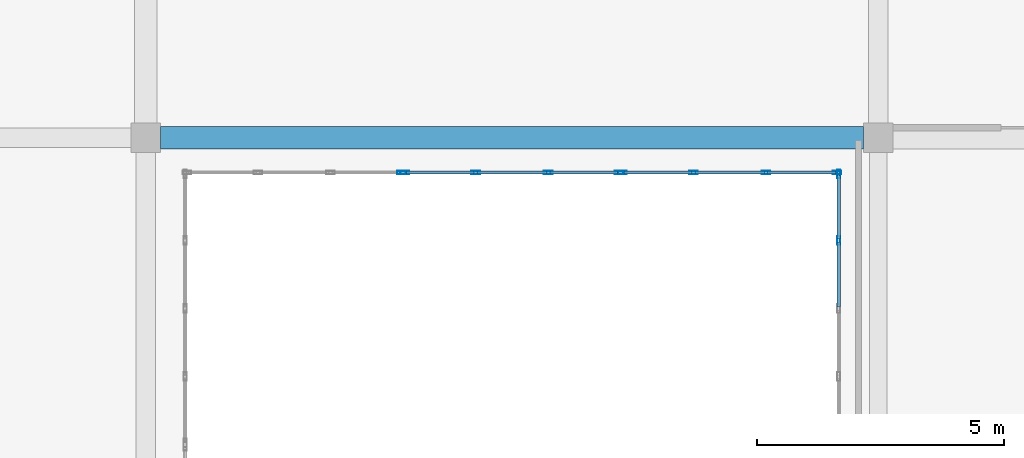
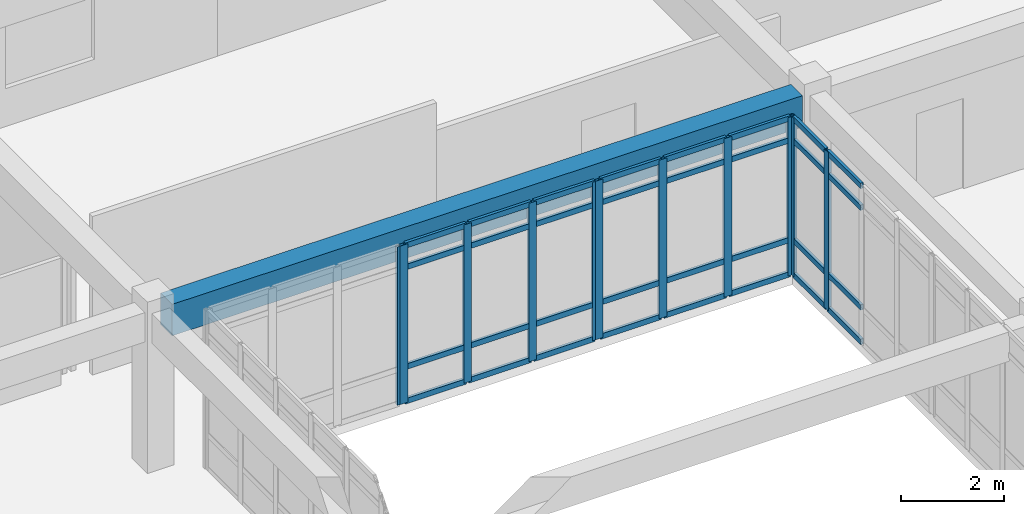
# One storey, part 59 of 91: 43 members, 1 beam, 4 elements without a shape of their own.
"""IFC4 building model written with IfcOpenShell, lengths in metres."""

from ifc_helpers import new_model, si_unit, direction, frame, origin, origin_2d, place, context, subcontext, project, spatial, rectangle, hollow_rectangle, extrude, material, layer, layer_set, material_profile, profile_set, type_object, element, aggregate, save


model = new_model("IFC4")

# Units and contexts
model_context = context("Model", 3, precision=1e-05, world=origin(), true_north=direction((0.0, 1.0)))
body_context = subcontext(model_context, "Body", "Model", "MODEL_VIEW")
ifc_project = project(units=[si_unit("LENGTHUNIT", "METRE"), si_unit("AREAUNIT", "SQUARE_METRE"), si_unit("VOLUMEUNIT", "CUBIC_METRE"), si_unit("PLANEANGLEUNIT", "RADIAN"), si_unit("MASSUNIT", "GRAM", prefix="KILO")], contexts=[model_context])

# Site, building, storey
site_placement = place(None, origin())
site = spatial("IfcSite", under=ifc_project, at=site_placement, CompositionType="ELEMENT")
building_placement = place(site_placement, origin())
building = spatial("IfcBuilding", under=site, at=building_placement, Name="Valcora Specialist Clinic", CompositionType="ELEMENT")
storey_placement = place(building_placement, frame((0.0, 0.0, 13.60009765625)))
storey = spatial("IfcBuildingStorey", under=building, at=storey_placement, Name="L03", CompositionType="ELEMENT", Elevation=13.60009765625)

# Beam
ifc_material_1 = material(Name="Concrete C40/50", Category="concrete")
ifc_material_profile_1 = material_profile(ifc_material_1, rectangle(XDim=0.449951171875, YDim=0.75, at=origin_2d()), Name="RC-BM-450X750")
ifc_profile_set_1 = profile_set([ifc_material_profile_1], Name="Concrete C40/50")
beam_type = type_object("IfcBeamType", Name="TY-BM-RC450X750", PredefinedType="BEAM", material=ifc_profile_set_1)
beam_placement = place(storey_placement, frame((76.300048828125, 99.199951171875, 3.39990234375), z_axis=(1.0, 0.0, 0.0), x_axis=(0.0, 1.0, 0.0)))
element("IfcBeam", 1, at=beam_placement, inside=storey, type_object=beam_type, Name="Beam BM-L03-0791", PredefinedType="BEAM", context=body_context, shape_type="SweptSolid", body=[
    extrude(rectangle(XDim=0.449951171875, YDim=0.75, at=origin_2d()), origin(), (0.0, 0.0, 1.0), 14.199951171875),
])

# Curtain wall, members
ifc_material_2 = material(Name="Anodized Bronze Aluminium 6063-T6", Category="aluminium")
ifc_layer = layer(ifc_material_2, 0.175048828125)
ifc_layer_set = layer_set([ifc_layer], Name="Anodized Bronze Aluminium 6063-T6")
curtain_wall_type = type_object("IfcCurtainWallType", Name="TY-CW-CRT15", PredefinedType="NOTDEFINED", material=ifc_layer_set)
curtain_wall_1_placement = place(storey_placement, origin())
curtain_wall_1 = element("IfcCurtainWall", 2, at=curtain_wall_1_placement, inside=storey, type_object=curtain_wall_type, Name="Curtain wall CW-L03-130", PredefinedType="NOTDEFINED")
ifc_material_profile_2 = material_profile(ifc_material_2, hollow_rectangle(XDim=0.06494140625, YDim=0.175048828125, WallThickness=0.00390625, at=origin_2d()), Name="AL-MUL-65X175")
ifc_profile_set_2 = profile_set([ifc_material_profile_2], Name="Anodized Bronze Aluminium 6063-T6")
member_type_1 = type_object("IfcMemberType", Name="TY-CWM-65X175", PredefinedType="MULLION", material=ifc_profile_set_2)
member_1_placement = place(storey_placement, frame((90.0, 97.125, 0.0), z_axis=(0.0, 0.0, 1.0), x_axis=(-1.0, 0.0, 0.0)))
member_1 = element("IfcMember", 3, at=member_1_placement, type_object=member_type_1, Name="CW-CRT-15 mullion 4", PredefinedType="MULLION", context=body_context, shape_type="SweptSolid", body=[
    extrude(hollow_rectangle(XDim=0.06494140625, YDim=0.175048828125, WallThickness=0.00390625, at=origin_2d()), origin(), (0.0, 0.0, 1.0), 3.77490234375),
])
member_2_placement = place(storey_placement, frame((90.0, 98.467529296875, 0.0), z_axis=(0.0, 0.0, 1.0), x_axis=(-1.0, 0.0, 0.0)))
member_2 = element("IfcMember", 4, at=member_2_placement, type_object=member_type_1, Name="CW-CRT-15 mullion 5", PredefinedType="MULLION", context=body_context, shape_type="SweptSolid", body=[
    extrude(hollow_rectangle(XDim=0.06494140625, YDim=0.175048828125, WallThickness=0.00390625, at=origin_2d()), origin(), (0.0, 0.0, 1.0), 3.77490234375),
])

curtain_wall_2_placement = place(storey_placement, origin())
curtain_wall_2 = element("IfcCurtainWall", 5, at=curtain_wall_2_placement, inside=storey, type_object=curtain_wall_type, Name="Curtain wall CW-L03-131", PredefinedType="NOTDEFINED")
member_3_placement = place(storey_placement, frame((89.967529296875, 98.5, 0.0), z_axis=(0.0, 0.0, 1.0), x_axis=(0.0, -1.0, 0.0)))
member_3 = element("IfcMember", 6, at=member_3_placement, type_object=member_type_1, Name="CW-CRT-15 mullion 1", PredefinedType="MULLION", context=body_context, shape_type="SweptSolid", body=[
    extrude(hollow_rectangle(XDim=0.06494140625, YDim=0.175048828125, WallThickness=0.00390625, at=origin_2d()), origin(), (0.0, 0.0, 1.0), 3.77490234375),
])
member_4_placement = place(storey_placement, frame((88.533447265625, 98.5, 0.0), z_axis=(0.0, 0.0, 1.0), x_axis=(0.0, -1.0, 0.0)))
member_4 = element("IfcMember", 7, at=member_4_placement, type_object=member_type_1, Name="CW-CRT-15 mullion 2", PredefinedType="MULLION", context=body_context, shape_type="SweptSolid", body=[
    extrude(hollow_rectangle(XDim=0.06494140625, YDim=0.175048828125, WallThickness=0.00390625, at=origin_2d()), origin(), (0.0, 0.0, 1.0), 3.77490234375),
])
member_5_placement = place(storey_placement, frame((87.066650390625, 98.5, 0.0), z_axis=(0.0, 0.0, 1.0), x_axis=(0.0, -1.0, 0.0)))
member_5 = element("IfcMember", 8, at=member_5_placement, type_object=member_type_1, Name="CW-CRT-15 mullion 3", PredefinedType="MULLION", context=body_context, shape_type="SweptSolid", body=[
    extrude(hollow_rectangle(XDim=0.06494140625, YDim=0.175048828125, WallThickness=0.00390625, at=origin_2d()), origin(), (0.0, 0.0, 1.0), 3.77490234375),
])
member_6_placement = place(storey_placement, frame((85.632568359375, 98.5, 0.0), z_axis=(0.0, 0.0, 1.0), x_axis=(0.0, -1.0, 0.0)))
member_6 = element("IfcMember", 9, at=member_6_placement, type_object=member_type_1, Name="CW-CRT-15 mullion 4", PredefinedType="MULLION", context=body_context, shape_type="SweptSolid", body=[
    extrude(hollow_rectangle(XDim=0.06494140625, YDim=0.175048828125, WallThickness=0.00390625, at=origin_2d()), origin(), (0.0, 0.0, 1.0), 3.77490234375),
])

curtain_wall_3_placement = place(storey_placement, origin())
curtain_wall_3 = element("IfcCurtainWall", 10, at=curtain_wall_3_placement, inside=storey, type_object=curtain_wall_type, Name="Curtain wall CW-L03-132", PredefinedType="NOTDEFINED")
member_7_placement = place(storey_placement, frame((85.5673828125, 98.5, 0.0), z_axis=(0.0, 0.0, 1.0), x_axis=(0.0, -1.0, 0.0)))
member_7 = element("IfcMember", 11, at=member_7_placement, type_object=member_type_1, Name="CW-CRT-15 mullion 1", PredefinedType="MULLION", context=body_context, shape_type="SweptSolid", body=[
    extrude(hollow_rectangle(XDim=0.06494140625, YDim=0.175048828125, WallThickness=0.00390625, at=origin_2d()), origin(), (0.0, 0.0, 1.0), 3.77490234375),
])
member_8_placement = place(storey_placement, frame((84.13330078125, 98.5, 0.0), z_axis=(0.0, 0.0, 1.0), x_axis=(0.0, -1.0, 0.0)))
member_8 = element("IfcMember", 12, at=member_8_placement, type_object=member_type_1, Name="CW-CRT-15 mullion 2", PredefinedType="MULLION", context=body_context, shape_type="SweptSolid", body=[
    extrude(hollow_rectangle(XDim=0.06494140625, YDim=0.175048828125, WallThickness=0.00390625, at=origin_2d()), origin(), (0.0, 0.0, 1.0), 3.77490234375),
])
member_9_placement = place(storey_placement, frame((82.666748046875, 98.5, 0.0), z_axis=(0.0, 0.0, 1.0), x_axis=(0.0, -1.0, 0.0)))
member_9 = element("IfcMember", 13, at=member_9_placement, type_object=member_type_1, Name="CW-CRT-15 mullion 3", PredefinedType="MULLION", context=body_context, shape_type="SweptSolid", body=[
    extrude(hollow_rectangle(XDim=0.06494140625, YDim=0.175048828125, WallThickness=0.00390625, at=origin_2d()), origin(), (0.0, 0.0, 1.0), 3.77490234375),
])
member_10_placement = place(storey_placement, frame((81.232421875, 98.5, 0.0), z_axis=(0.0, 0.0, 1.0), x_axis=(0.0, -1.0, 0.0)))
member_10 = element("IfcMember", 14, at=member_10_placement, type_object=member_type_1, Name="CW-CRT-15 mullion 4", PredefinedType="MULLION", context=body_context, shape_type="SweptSolid", body=[
    extrude(hollow_rectangle(XDim=0.06494140625, YDim=0.175048828125, WallThickness=0.00390625, at=origin_2d()), origin(), (0.0, 0.0, 1.0), 3.77490234375),
])

# Curtain wall, member
curtain_wall_4_placement = place(storey_placement, origin())
curtain_wall_4 = element("IfcCurtainWall", 15, at=curtain_wall_4_placement, inside=storey, type_object=curtain_wall_type, Name="Curtain wall CW-L03-133", PredefinedType="NOTDEFINED")
member_11_placement = place(storey_placement, frame((81.16748046875, 98.5, 0.0), z_axis=(0.0, 0.0, 1.0), x_axis=(0.0, -1.0, 0.0)))
member_11 = element("IfcMember", 16, at=member_11_placement, type_object=member_type_1, Name="CW-CRT-15 mullion 1", PredefinedType="MULLION", context=body_context, shape_type="SweptSolid", body=[
    extrude(hollow_rectangle(XDim=0.06494140625, YDim=0.175048828125, WallThickness=0.00390625, at=origin_2d()), origin(), (0.0, 0.0, 1.0), 3.77490234375),
])
aggregate(curtain_wall_4, [member_11])

# Member
ifc_material_profile_3 = material_profile(ifc_material_2, hollow_rectangle(XDim=0.06494140625, YDim=0.1298828125, WallThickness=0.00390625, at=origin_2d()), Name="AL-TRN-65X130")
ifc_profile_set_3 = profile_set([ifc_material_profile_3], Name="Anodized Bronze Aluminium 6063-T6")
member_type_2 = type_object("IfcMemberType", Name="TY-CWT-65X130", PredefinedType="USERDEFINED", material=ifc_profile_set_3)
member_12_placement = place(storey_placement, frame((90.0, 95.782470703125, 0.032470703125), z_axis=(0.0, 1.0, 0.0), x_axis=(-1.0, 0.0, 0.0)))
member_12 = element("IfcMember", 17, at=member_12_placement, type_object=member_type_2, Name="CW-CRT-15 transom 3.1", ObjectType="TRANSOM", PredefinedType="USERDEFINED", context=body_context, shape_type="SweptSolid", body=[
    extrude(hollow_rectangle(XDim=0.06494140625, YDim=0.1298828125, WallThickness=0.00390625, at=origin_2d()), origin(), (0.0, 0.0, 1.0), 1.31005859375),
])

member_13_placement = place(storey_placement, frame((90.0, 95.782470703125, 0.849853515625), z_axis=(0.0, 1.0, 0.0), x_axis=(-1.0, 0.0, 0.0)))
member_13 = element("IfcMember", 18, at=member_13_placement, type_object=member_type_2, Name="CW-CRT-15 transom 3.2", ObjectType="TRANSOM", PredefinedType="USERDEFINED", context=body_context, shape_type="SweptSolid", body=[
    extrude(hollow_rectangle(XDim=0.06494140625, YDim=0.1298828125, WallThickness=0.00390625, at=origin_2d()), origin(), (0.0, 0.0, 1.0), 1.31005859375),
])

member_14_placement = place(storey_placement, frame((90.0, 95.782470703125, 3.224853515625), z_axis=(0.0, 1.0, 0.0), x_axis=(-1.0, 0.0, 0.0)))
member_14 = element("IfcMember", 19, at=member_14_placement, type_object=member_type_2, Name="CW-CRT-15 transom 3.3", ObjectType="TRANSOM", PredefinedType="USERDEFINED", context=body_context, shape_type="SweptSolid", body=[
    extrude(hollow_rectangle(XDim=0.06494140625, YDim=0.1298828125, WallThickness=0.00390625, at=origin_2d()), origin(), (0.0, 0.0, 1.0), 1.31005859375),
])

member_15_placement = place(storey_placement, frame((90.0, 95.782470703125, 3.742431640625), z_axis=(0.0, 1.0, 0.0), x_axis=(-1.0, 0.0, 0.0)))
member_15 = element("IfcMember", 20, at=member_15_placement, type_object=member_type_2, Name="CW-CRT-15 transom 3.4", ObjectType="TRANSOM", PredefinedType="USERDEFINED", context=body_context, shape_type="SweptSolid", body=[
    extrude(hollow_rectangle(XDim=0.06494140625, YDim=0.1298828125, WallThickness=0.00390625, at=origin_2d()), origin(), (0.0, 0.0, 1.0), 1.31005859375),
])

member_16_placement = place(storey_placement, frame((90.0, 97.157470703125, 0.032470703125), z_axis=(0.0, 1.0, 0.0), x_axis=(-1.0, 0.0, 0.0)))
member_16 = element("IfcMember", 21, at=member_16_placement, type_object=member_type_2, Name="CW-CRT-15 transom 4.1", ObjectType="TRANSOM", PredefinedType="USERDEFINED", context=body_context, shape_type="SweptSolid", body=[
    extrude(hollow_rectangle(XDim=0.06494140625, YDim=0.1298828125, WallThickness=0.00390625, at=origin_2d()), origin(), (0.0, 0.0, 1.0), 1.277587890625),
])

member_17_placement = place(storey_placement, frame((90.0, 97.157470703125, 0.849853515625), z_axis=(0.0, 1.0, 0.0), x_axis=(-1.0, 0.0, 0.0)))
member_17 = element("IfcMember", 22, at=member_17_placement, type_object=member_type_2, Name="CW-CRT-15 transom 4.2", ObjectType="TRANSOM", PredefinedType="USERDEFINED", context=body_context, shape_type="SweptSolid", body=[
    extrude(hollow_rectangle(XDim=0.06494140625, YDim=0.1298828125, WallThickness=0.00390625, at=origin_2d()), origin(), (0.0, 0.0, 1.0), 1.277587890625),
])

member_18_placement = place(storey_placement, frame((90.0, 97.157470703125, 3.224853515625), z_axis=(0.0, 1.0, 0.0), x_axis=(-1.0, 0.0, 0.0)))
member_18 = element("IfcMember", 23, at=member_18_placement, type_object=member_type_2, Name="CW-CRT-15 transom 4.3", ObjectType="TRANSOM", PredefinedType="USERDEFINED", context=body_context, shape_type="SweptSolid", body=[
    extrude(hollow_rectangle(XDim=0.06494140625, YDim=0.1298828125, WallThickness=0.00390625, at=origin_2d()), origin(), (0.0, 0.0, 1.0), 1.277587890625),
])

member_19_placement = place(storey_placement, frame((90.0, 97.157470703125, 3.742431640625), z_axis=(0.0, 1.0, 0.0), x_axis=(-1.0, 0.0, 0.0)))
member_19 = element("IfcMember", 24, at=member_19_placement, type_object=member_type_2, Name="CW-CRT-15 transom 4.4", ObjectType="TRANSOM", PredefinedType="USERDEFINED", context=body_context, shape_type="SweptSolid", body=[
    extrude(hollow_rectangle(XDim=0.06494140625, YDim=0.1298828125, WallThickness=0.00390625, at=origin_2d()), origin(), (0.0, 0.0, 1.0), 1.277587890625),
])

aggregate(curtain_wall_1, [member_1, member_2, member_12, member_13, member_14, member_15, member_16, member_17, member_18, member_19])

member_20_placement = place(storey_placement, frame((89.93505859375, 98.5, 0.032470703125), z_axis=(-1.0, 0.0, 0.0), x_axis=(0.0, -1.0, 0.0)))
member_20 = element("IfcMember", 25, at=member_20_placement, type_object=member_type_2, Name="CW-CRT-15 transom 1.1", ObjectType="TRANSOM", PredefinedType="USERDEFINED", context=body_context, shape_type="SweptSolid", body=[
    extrude(hollow_rectangle(XDim=0.06494140625, YDim=0.1298828125, WallThickness=0.00390625, at=origin_2d()), origin(), (0.0, 0.0, 1.0), 1.369140625),
])

member_21_placement = place(storey_placement, frame((89.93505859375, 98.5, 0.849853515625), z_axis=(-1.0, 0.0, 0.0), x_axis=(0.0, -1.0, 0.0)))
member_21 = element("IfcMember", 26, at=member_21_placement, type_object=member_type_2, Name="CW-CRT-15 transom 1.2", ObjectType="TRANSOM", PredefinedType="USERDEFINED", context=body_context, shape_type="SweptSolid", body=[
    extrude(hollow_rectangle(XDim=0.06494140625, YDim=0.1298828125, WallThickness=0.00390625, at=origin_2d()), origin(), (0.0, 0.0, 1.0), 1.369140625),
])

member_22_placement = place(storey_placement, frame((89.93505859375, 98.5, 3.224853515625), z_axis=(-1.0, 0.0, 0.0), x_axis=(0.0, -1.0, 0.0)))
member_22 = element("IfcMember", 27, at=member_22_placement, type_object=member_type_2, Name="CW-CRT-15 transom 1.3", ObjectType="TRANSOM", PredefinedType="USERDEFINED", context=body_context, shape_type="SweptSolid", body=[
    extrude(hollow_rectangle(XDim=0.06494140625, YDim=0.1298828125, WallThickness=0.00390625, at=origin_2d()), origin(), (0.0, 0.0, 1.0), 1.369140625),
])

member_23_placement = place(storey_placement, frame((89.93505859375, 98.5, 3.742431640625), z_axis=(-1.0, 0.0, 0.0), x_axis=(0.0, -1.0, 0.0)))
member_23 = element("IfcMember", 28, at=member_23_placement, type_object=member_type_2, Name="CW-CRT-15 transom 1.4", ObjectType="TRANSOM", PredefinedType="USERDEFINED", context=body_context, shape_type="SweptSolid", body=[
    extrude(hollow_rectangle(XDim=0.06494140625, YDim=0.1298828125, WallThickness=0.00390625, at=origin_2d()), origin(), (0.0, 0.0, 1.0), 1.369140625),
])

member_24_placement = place(storey_placement, frame((88.500732421875, 98.5, 0.032470703125), z_axis=(-1.0, 0.0, 0.0), x_axis=(0.0, -1.0, 0.0)))
member_24 = element("IfcMember", 29, at=member_24_placement, type_object=member_type_2, Name="CW-CRT-15 transom 2.1", ObjectType="TRANSOM", PredefinedType="USERDEFINED", context=body_context, shape_type="SweptSolid", body=[
    extrude(hollow_rectangle(XDim=0.06494140625, YDim=0.1298828125, WallThickness=0.00390625, at=origin_2d()), origin(), (0.0, 0.0, 1.0), 1.401611328125),
])

member_25_placement = place(storey_placement, frame((88.500732421875, 98.5, 0.849853515625), z_axis=(-1.0, 0.0, 0.0), x_axis=(0.0, -1.0, 0.0)))
member_25 = element("IfcMember", 30, at=member_25_placement, type_object=member_type_2, Name="CW-CRT-15 transom 2.2", ObjectType="TRANSOM", PredefinedType="USERDEFINED", context=body_context, shape_type="SweptSolid", body=[
    extrude(hollow_rectangle(XDim=0.06494140625, YDim=0.1298828125, WallThickness=0.00390625, at=origin_2d()), origin(), (0.0, 0.0, 1.0), 1.401611328125),
])

member_26_placement = place(storey_placement, frame((88.500732421875, 98.5, 3.224853515625), z_axis=(-1.0, 0.0, 0.0), x_axis=(0.0, -1.0, 0.0)))
member_26 = element("IfcMember", 31, at=member_26_placement, type_object=member_type_2, Name="CW-CRT-15 transom 2.3", ObjectType="TRANSOM", PredefinedType="USERDEFINED", context=body_context, shape_type="SweptSolid", body=[
    extrude(hollow_rectangle(XDim=0.06494140625, YDim=0.1298828125, WallThickness=0.00390625, at=origin_2d()), origin(), (0.0, 0.0, 1.0), 1.401611328125),
])

member_27_placement = place(storey_placement, frame((88.500732421875, 98.5, 3.742431640625), z_axis=(-1.0, 0.0, 0.0), x_axis=(0.0, -1.0, 0.0)))
member_27 = element("IfcMember", 32, at=member_27_placement, type_object=member_type_2, Name="CW-CRT-15 transom 2.4", ObjectType="TRANSOM", PredefinedType="USERDEFINED", context=body_context, shape_type="SweptSolid", body=[
    extrude(hollow_rectangle(XDim=0.06494140625, YDim=0.1298828125, WallThickness=0.00390625, at=origin_2d()), origin(), (0.0, 0.0, 1.0), 1.401611328125),
])

member_28_placement = place(storey_placement, frame((87.0341796875, 98.5, 0.032470703125), z_axis=(-1.0, 0.0, 0.0), x_axis=(0.0, -1.0, 0.0)))
member_28 = element("IfcMember", 33, at=member_28_placement, type_object=member_type_2, Name="CW-CRT-15 transom 3.1", ObjectType="TRANSOM", PredefinedType="USERDEFINED", context=body_context, shape_type="SweptSolid", body=[
    extrude(hollow_rectangle(XDim=0.06494140625, YDim=0.1298828125, WallThickness=0.00390625, at=origin_2d()), origin(), (0.0, 0.0, 1.0), 1.369140625),
])

member_29_placement = place(storey_placement, frame((87.0341796875, 98.5, 0.849853515625), z_axis=(-1.0, 0.0, 0.0), x_axis=(0.0, -1.0, 0.0)))
member_29 = element("IfcMember", 34, at=member_29_placement, type_object=member_type_2, Name="CW-CRT-15 transom 3.2", ObjectType="TRANSOM", PredefinedType="USERDEFINED", context=body_context, shape_type="SweptSolid", body=[
    extrude(hollow_rectangle(XDim=0.06494140625, YDim=0.1298828125, WallThickness=0.00390625, at=origin_2d()), origin(), (0.0, 0.0, 1.0), 1.369140625),
])

member_30_placement = place(storey_placement, frame((87.0341796875, 98.5, 3.224853515625), z_axis=(-1.0, 0.0, 0.0), x_axis=(0.0, -1.0, 0.0)))
member_30 = element("IfcMember", 35, at=member_30_placement, type_object=member_type_2, Name="CW-CRT-15 transom 3.3", ObjectType="TRANSOM", PredefinedType="USERDEFINED", context=body_context, shape_type="SweptSolid", body=[
    extrude(hollow_rectangle(XDim=0.06494140625, YDim=0.1298828125, WallThickness=0.00390625, at=origin_2d()), origin(), (0.0, 0.0, 1.0), 1.369140625),
])

member_31_placement = place(storey_placement, frame((87.0341796875, 98.5, 3.742431640625), z_axis=(-1.0, 0.0, 0.0), x_axis=(0.0, -1.0, 0.0)))
member_31 = element("IfcMember", 36, at=member_31_placement, type_object=member_type_2, Name="CW-CRT-15 transom 3.4", ObjectType="TRANSOM", PredefinedType="USERDEFINED", context=body_context, shape_type="SweptSolid", body=[
    extrude(hollow_rectangle(XDim=0.06494140625, YDim=0.1298828125, WallThickness=0.00390625, at=origin_2d()), origin(), (0.0, 0.0, 1.0), 1.369140625),
])

aggregate(curtain_wall_2, [member_3, member_4, member_5, member_6, member_20, member_21, member_22, member_23, member_24, member_25, member_26, member_27, member_28, member_29, member_30, member_31])

member_32_placement = place(storey_placement, frame((85.534912109375, 98.5, 0.032470703125), z_axis=(-1.0, 0.0, 0.0), x_axis=(0.0, -1.0, 0.0)))
member_32 = element("IfcMember", 37, at=member_32_placement, type_object=member_type_2, Name="CW-CRT-15 transom 1.1", ObjectType="TRANSOM", PredefinedType="USERDEFINED", context=body_context, shape_type="SweptSolid", body=[
    extrude(hollow_rectangle(XDim=0.06494140625, YDim=0.1298828125, WallThickness=0.00390625, at=origin_2d()), origin(), (0.0, 0.0, 1.0), 1.369140625),
])

member_33_placement = place(storey_placement, frame((85.534912109375, 98.5, 0.849853515625), z_axis=(-1.0, 0.0, 0.0), x_axis=(0.0, -1.0, 0.0)))
member_33 = element("IfcMember", 38, at=member_33_placement, type_object=member_type_2, Name="CW-CRT-15 transom 1.2", ObjectType="TRANSOM", PredefinedType="USERDEFINED", context=body_context, shape_type="SweptSolid", body=[
    extrude(hollow_rectangle(XDim=0.06494140625, YDim=0.1298828125, WallThickness=0.00390625, at=origin_2d()), origin(), (0.0, 0.0, 1.0), 1.369140625),
])

member_34_placement = place(storey_placement, frame((85.534912109375, 98.5, 3.224853515625), z_axis=(-1.0, 0.0, 0.0), x_axis=(0.0, -1.0, 0.0)))
member_34 = element("IfcMember", 39, at=member_34_placement, type_object=member_type_2, Name="CW-CRT-15 transom 1.3", ObjectType="TRANSOM", PredefinedType="USERDEFINED", context=body_context, shape_type="SweptSolid", body=[
    extrude(hollow_rectangle(XDim=0.06494140625, YDim=0.1298828125, WallThickness=0.00390625, at=origin_2d()), origin(), (0.0, 0.0, 1.0), 1.369140625),
])

member_35_placement = place(storey_placement, frame((85.534912109375, 98.5, 3.742431640625), z_axis=(-1.0, 0.0, 0.0), x_axis=(0.0, -1.0, 0.0)))
member_35 = element("IfcMember", 40, at=member_35_placement, type_object=member_type_2, Name="CW-CRT-15 transom 1.4", ObjectType="TRANSOM", PredefinedType="USERDEFINED", context=body_context, shape_type="SweptSolid", body=[
    extrude(hollow_rectangle(XDim=0.06494140625, YDim=0.1298828125, WallThickness=0.00390625, at=origin_2d()), origin(), (0.0, 0.0, 1.0), 1.369140625),
])

member_36_placement = place(storey_placement, frame((84.100830078125, 98.5, 0.032470703125), z_axis=(-1.0, 0.0, 0.0), x_axis=(0.0, -1.0, 0.0)))
member_36 = element("IfcMember", 41, at=member_36_placement, type_object=member_type_2, Name="CW-CRT-15 transom 2.1", ObjectType="TRANSOM", PredefinedType="USERDEFINED", context=body_context, shape_type="SweptSolid", body=[
    extrude(hollow_rectangle(XDim=0.06494140625, YDim=0.1298828125, WallThickness=0.00390625, at=origin_2d()), origin(), (0.0, 0.0, 1.0), 1.401611328125),
])

member_37_placement = place(storey_placement, frame((84.100830078125, 98.5, 0.849853515625), z_axis=(-1.0, 0.0, 0.0), x_axis=(0.0, -1.0, 0.0)))
member_37 = element("IfcMember", 42, at=member_37_placement, type_object=member_type_2, Name="CW-CRT-15 transom 2.2", ObjectType="TRANSOM", PredefinedType="USERDEFINED", context=body_context, shape_type="SweptSolid", body=[
    extrude(hollow_rectangle(XDim=0.06494140625, YDim=0.1298828125, WallThickness=0.00390625, at=origin_2d()), origin(), (0.0, 0.0, 1.0), 1.401611328125),
])

member_38_placement = place(storey_placement, frame((84.100830078125, 98.5, 3.224853515625), z_axis=(-1.0, 0.0, 0.0), x_axis=(0.0, -1.0, 0.0)))
member_38 = element("IfcMember", 43, at=member_38_placement, type_object=member_type_2, Name="CW-CRT-15 transom 2.3", ObjectType="TRANSOM", PredefinedType="USERDEFINED", context=body_context, shape_type="SweptSolid", body=[
    extrude(hollow_rectangle(XDim=0.06494140625, YDim=0.1298828125, WallThickness=0.00390625, at=origin_2d()), origin(), (0.0, 0.0, 1.0), 1.401611328125),
])

member_39_placement = place(storey_placement, frame((84.100830078125, 98.5, 3.742431640625), z_axis=(-1.0, 0.0, 0.0), x_axis=(0.0, -1.0, 0.0)))
member_39 = element("IfcMember", 44, at=member_39_placement, type_object=member_type_2, Name="CW-CRT-15 transom 2.4", ObjectType="TRANSOM", PredefinedType="USERDEFINED", context=body_context, shape_type="SweptSolid", body=[
    extrude(hollow_rectangle(XDim=0.06494140625, YDim=0.1298828125, WallThickness=0.00390625, at=origin_2d()), origin(), (0.0, 0.0, 1.0), 1.401611328125),
])

member_40_placement = place(storey_placement, frame((82.63427734375, 98.5, 0.032470703125), z_axis=(-1.0, 0.0, 0.0), x_axis=(0.0, -1.0, 0.0)))
member_40 = element("IfcMember", 45, at=member_40_placement, type_object=member_type_2, Name="CW-CRT-15 transom 3.1", ObjectType="TRANSOM", PredefinedType="USERDEFINED", context=body_context, shape_type="SweptSolid", body=[
    extrude(hollow_rectangle(XDim=0.06494140625, YDim=0.1298828125, WallThickness=0.00390625, at=origin_2d()), origin(), (0.0, 0.0, 1.0), 1.369384765625),
])

member_41_placement = place(storey_placement, frame((82.63427734375, 98.5, 0.849853515625), z_axis=(-1.0, 0.0, 0.0), x_axis=(0.0, -1.0, 0.0)))
member_41 = element("IfcMember", 46, at=member_41_placement, type_object=member_type_2, Name="CW-CRT-15 transom 3.2", ObjectType="TRANSOM", PredefinedType="USERDEFINED", context=body_context, shape_type="SweptSolid", body=[
    extrude(hollow_rectangle(XDim=0.06494140625, YDim=0.1298828125, WallThickness=0.00390625, at=origin_2d()), origin(), (0.0, 0.0, 1.0), 1.369384765625),
])

member_42_placement = place(storey_placement, frame((82.63427734375, 98.5, 3.224853515625), z_axis=(-1.0, 0.0, 0.0), x_axis=(0.0, -1.0, 0.0)))
member_42 = element("IfcMember", 47, at=member_42_placement, type_object=member_type_2, Name="CW-CRT-15 transom 3.3", ObjectType="TRANSOM", PredefinedType="USERDEFINED", context=body_context, shape_type="SweptSolid", body=[
    extrude(hollow_rectangle(XDim=0.06494140625, YDim=0.1298828125, WallThickness=0.00390625, at=origin_2d()), origin(), (0.0, 0.0, 1.0), 1.369384765625),
])

member_43_placement = place(storey_placement, frame((82.63427734375, 98.5, 3.742431640625), z_axis=(-1.0, 0.0, 0.0), x_axis=(0.0, -1.0, 0.0)))
member_43 = element("IfcMember", 48, at=member_43_placement, type_object=member_type_2, Name="CW-CRT-15 transom 3.4", ObjectType="TRANSOM", PredefinedType="USERDEFINED", context=body_context, shape_type="SweptSolid", body=[
    extrude(hollow_rectangle(XDim=0.06494140625, YDim=0.1298828125, WallThickness=0.00390625, at=origin_2d()), origin(), (0.0, 0.0, 1.0), 1.369384765625),
])

aggregate(curtain_wall_3, [member_7, member_8, member_9, member_10, member_32, member_33, member_34, member_35, member_36, member_37, member_38, member_39, member_40, member_41, member_42, member_43])

save(model, "model.ifc")
